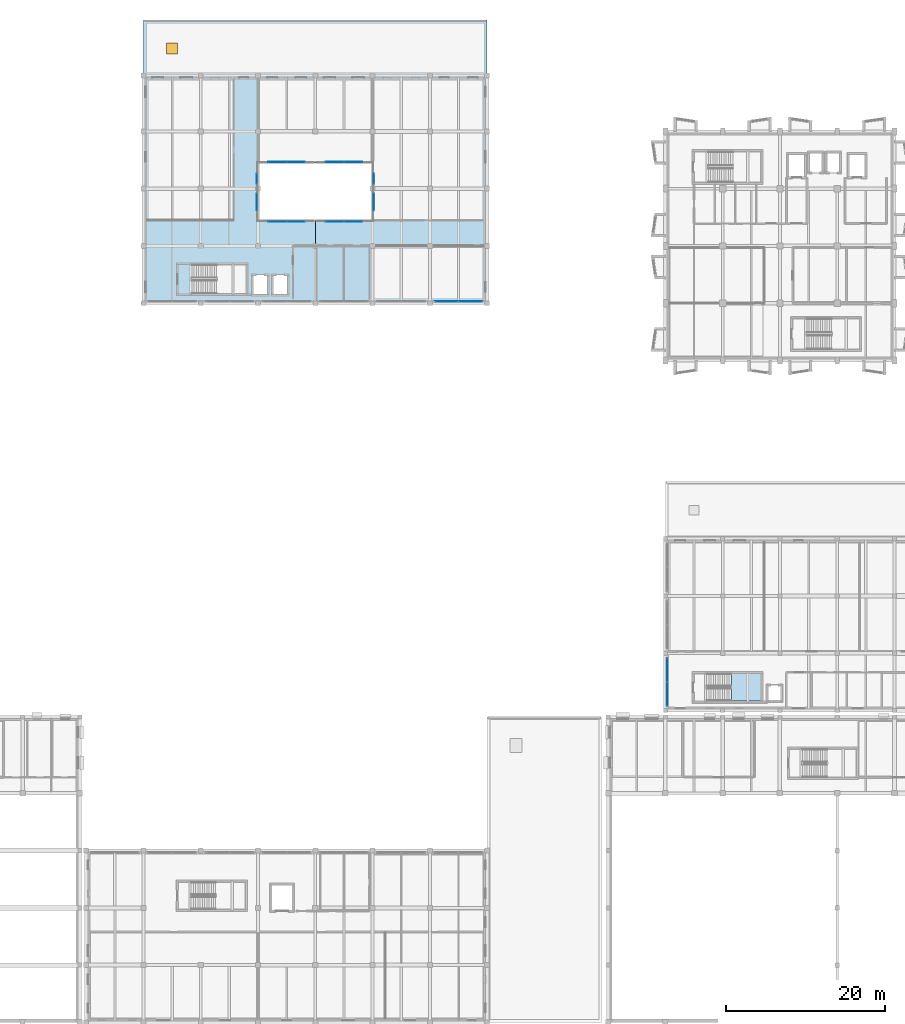
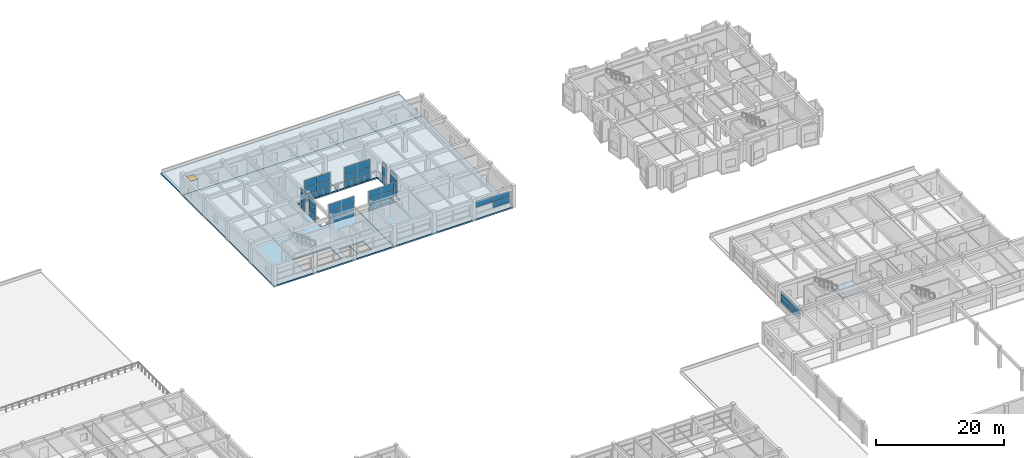
# One storey, part 42 of 67: 43 plates, 4 slabs, 1 window, 1 opening, 11 elements without a shape of their own.
"""IFC4 building model written with IfcOpenShell, lengths in metres."""

from ifc_helpers import new_model, si_unit, direction, frame, origin, origin_2d, place, context, subcontext, project, spatial, polyline, rectangle, outline, extrude, material, layer, layer_set, type_object, element, fill, aggregate, save


model = new_model("IFC4")

# Units and contexts
model_context = context("Model", 3, precision=1e-05, world=origin(), true_north=direction((0.0, 1.0)))
body_context = subcontext(model_context, "Body", "Model", "MODEL_VIEW")
ifc_project = project(units=[si_unit("LENGTHUNIT", "METRE"), si_unit("AREAUNIT", "SQUARE_METRE"), si_unit("VOLUMEUNIT", "CUBIC_METRE"), si_unit("PLANEANGLEUNIT", "RADIAN"), si_unit("MASSUNIT", "GRAM", prefix="KILO")], contexts=[model_context])

# Site, building, storey
site_placement = place(None, origin())
site = spatial("IfcSite", under=ifc_project, at=site_placement, CompositionType="ELEMENT")
building_placement = place(site_placement, origin())
building = spatial("IfcBuilding", under=site, at=building_placement, Name="Bramveld Media Centre", CompositionType="ELEMENT")
storey_placement = place(building_placement, frame((0.0, 0.0, 5.39990234375)))
storey = spatial("IfcBuildingStorey", under=building, at=storey_placement, Name="L01", CompositionType="ELEMENT", Elevation=5.39990234375)

# Curtain wall, plates
ifc_material_1 = material(Name="Thermally broken anodized bronze aluminium unitized curtain wall with solar-control triple glazing", Category="aluminium")
curtain_wall_type_1 = type_object("IfcCurtainWallType", Name="CW-FACV4-6100x2350", PredefinedType="NOTDEFINED", material=ifc_material_1)
curtain_wall_1_placement = place(storey_placement, origin())
curtain_wall_1 = element("IfcCurtainWall", 1, at=curtain_wall_1_placement, inside=storey, type_object=curtain_wall_type_1, Name="V4 L01 W curtain wall bay 1", PredefinedType="NOTDEFINED")
ifc_material_2 = material(Name="Solar-control triple insulating safety glass unit", Category="glass")
ifc_layer_1 = layer(ifc_material_2, 0.028076171875)
ifc_layer_set_1 = layer_set([ifc_layer_1], Name="Solar-control triple insulating safety glass unit")
plate_type_1 = type_object("IfcPlateType", Name="CW-PAN-EXT", PredefinedType="CURTAIN_PANEL", material=ifc_layer_set_1)
plate_1_placement = place(storey_placement, frame((131.429931640625, 41.2900390625, 0.91015625), z_axis=(0.0, 0.0, 1.0), x_axis=(0.0, 1.0, 0.0)))
plate_1 = element("IfcPlate", 2, at=plate_1_placement, type_object=plate_type_1, Name="CW-FA-6123 panel 1.1", PredefinedType="CURTAIN_PANEL", context=body_context, shape_type="SweptSolid", body=[
    extrude(rectangle(XDim=2.9599609375, YDim=0.028076171875, at=origin_2d()), origin(), (0.0, 0.0, 1.0), 1.0849609375),
])
plate_2_placement = place(storey_placement, frame((131.429931640625, 41.2900390625, 2.05517578125), z_axis=(0.0, 0.0, 1.0), x_axis=(0.0, 1.0, 0.0)))
plate_2 = element("IfcPlate", 3, at=plate_2_placement, type_object=plate_type_1, Name="CW-FA-6123 panel 1.2", PredefinedType="CURTAIN_PANEL", context=body_context, shape_type="SweptSolid", body=[
    extrude(rectangle(XDim=2.9599609375, YDim=0.028076171875, at=origin_2d()), origin(), (0.0, 0.0, 1.0), 1.0849609375),
])
plate_3_placement = place(storey_placement, frame((131.429931640625, 44.31005859375, 0.91015625), z_axis=(0.0, 0.0, 1.0), x_axis=(0.0, 1.0, 0.0)))
plate_3 = element("IfcPlate", 4, at=plate_3_placement, type_object=plate_type_1, Name="CW-FA-6123 panel 2.1", PredefinedType="CURTAIN_PANEL", context=body_context, shape_type="SweptSolid", body=[
    extrude(rectangle(XDim=2.9599609375, YDim=0.028076171875, at=origin_2d()), origin(), (0.0, 0.0, 1.0), 1.0849609375),
])
plate_4_placement = place(storey_placement, frame((131.429931640625, 44.31005859375, 2.05517578125), z_axis=(0.0, 0.0, 1.0), x_axis=(0.0, 1.0, 0.0)))
plate_4 = element("IfcPlate", 5, at=plate_4_placement, type_object=plate_type_1, Name="CW-FA-6123 panel 2.2", PredefinedType="CURTAIN_PANEL", context=body_context, shape_type="SweptSolid", body=[
    extrude(rectangle(XDim=2.9599609375, YDim=0.028076171875, at=origin_2d()), origin(), (0.0, 0.0, 1.0), 1.0849609375),
])
aggregate(curtain_wall_1, [plate_1, plate_2, plate_3, plate_4])

ifc_material_3 = material(Name="Thermally broken anodized bronze aluminium unitized curtain wall with solar-control triple glazing", Category="aluminium")
curtain_wall_type_2 = type_object("IfcCurtainWallType", Name="CW-FACV6-6100x2350", PredefinedType="NOTDEFINED", material=ifc_material_3)
curtain_wall_2_placement = place(storey_placement, origin())
curtain_wall_2 = element("IfcCurtainWall", 6, at=curtain_wall_2_placement, inside=storey, type_object=curtain_wall_type_2, Name="V6 L01 S curtain wall bay 6", PredefinedType="NOTDEFINED")
plate_5_placement = place(storey_placement, frame((103.68994140625, 90.6298828125, 2.05517578125), z_axis=(0.0, 0.0, 1.0), x_axis=(1.0, 0.0, 0.0)))
plate_5 = element("IfcPlate", 7, at=plate_5_placement, type_object=plate_type_1, Name="CW-FA-6123 panel 1.2", PredefinedType="CURTAIN_PANEL", context=body_context, shape_type="SweptSolid", body=[
    extrude(rectangle(XDim=2.9599609375, YDim=0.028076171875, at=origin_2d()), origin(), (0.0, 0.0, 1.0), 1.0849609375),
])
plate_6_placement = place(storey_placement, frame((106.7099609375, 90.6298828125, 0.91015625), z_axis=(0.0, 0.0, 1.0), x_axis=(1.0, 0.0, 0.0)))
plate_6 = element("IfcPlate", 8, at=plate_6_placement, type_object=plate_type_1, Name="CW-FA-6123 panel 2.1", PredefinedType="CURTAIN_PANEL", context=body_context, shape_type="SweptSolid", body=[
    extrude(rectangle(XDim=2.9599609375, YDim=0.028076171875, at=origin_2d()), origin(), (0.0, 0.0, 1.0), 1.0849609375),
])
plate_7_placement = place(storey_placement, frame((106.7099609375, 90.6298828125, 2.05517578125), z_axis=(0.0, 0.0, 1.0), x_axis=(1.0, 0.0, 0.0)))
plate_7 = element("IfcPlate", 9, at=plate_7_placement, type_object=plate_type_1, Name="CW-FA-6123 panel 2.2", PredefinedType="CURTAIN_PANEL", context=body_context, shape_type="SweptSolid", body=[
    extrude(rectangle(XDim=2.9599609375, YDim=0.028076171875, at=origin_2d()), origin(), (0.0, 0.0, 1.0), 1.0849609375),
])
aggregate(curtain_wall_2, [plate_5, plate_6, plate_7])

ifc_material_4 = material(Name="Thermally broken anodized bronze aluminium unitized curtain wall with solar-control triple glazing", Category="aluminium")
curtain_wall_type_3 = type_object("IfcCurtainWallType", Name="CW-ATR-4700x3880", PredefinedType="NOTDEFINED", material=ifc_material_4)
curtain_wall_3_placement = place(storey_placement, origin())
curtain_wall_3 = element("IfcCurtainWall", 10, at=curtain_wall_3_placement, inside=storey, type_object=curtain_wall_type_3, Name="V6 L01 atrium acoustic screen S1-1", PredefinedType="NOTDEFINED")
ifc_material_5 = material(Name="Laminated acoustic safety glass panel", Category="glass")
ifc_layer_2 = layer(ifc_material_5, 0.028076171875)
ifc_layer_set_2 = layer_set([ifc_layer_2], Name="Laminated acoustic safety glass panel")
plate_type_2 = type_object("IfcPlateType", Name="CW-PAN-INT", PredefinedType="CURTAIN_PANEL", material=ifc_layer_set_2)
plate_8_placement = place(storey_placement, frame((82.43994140625, 100.64990234375, 0.06005859375), z_axis=(0.0, 0.0, 1.0), x_axis=(1.0, 0.0, 0.0)))
plate_8 = element("IfcPlate", 11, at=plate_8_placement, type_object=plate_type_2, Name="CW-AT-4738 panel 1.1", PredefinedType="CURTAIN_PANEL", context=body_context, shape_type="SweptSolid", body=[
    extrude(rectangle(XDim=2.260009765625, YDim=0.028076171875, at=origin_2d()), origin(), (0.0, 0.0, 1.0), 1.06005859375),
])
plate_9_placement = place(storey_placement, frame((82.43994140625, 100.64990234375, 1.18017578125), z_axis=(0.0, 0.0, 1.0), x_axis=(1.0, 0.0, 0.0)))
plate_9 = element("IfcPlate", 12, at=plate_9_placement, type_object=plate_type_2, Name="CW-AT-4738 panel 1.2", PredefinedType="CURTAIN_PANEL", context=body_context, shape_type="SweptSolid", body=[
    extrude(rectangle(XDim=2.260009765625, YDim=0.028076171875, at=origin_2d()), origin(), (0.0, 0.0, 1.0), 1.196044921875),
])
plate_10_placement = place(storey_placement, frame((82.43994140625, 100.64990234375, 2.43603515625), z_axis=(0.0, 0.0, 1.0), x_axis=(1.0, 0.0, 0.0)))
plate_10 = element("IfcPlate", 13, at=plate_10_placement, type_object=plate_type_2, Name="CW-AT-4738 panel 1.3", PredefinedType="CURTAIN_PANEL", context=body_context, shape_type="SweptSolid", body=[
    extrude(rectangle(XDim=2.260009765625, YDim=0.028076171875, at=origin_2d()), origin(), (0.0, 0.0, 1.0), 1.384033203125),
])
plate_11_placement = place(storey_placement, frame((84.760009765625, 100.64990234375, 0.06005859375), z_axis=(0.0, 0.0, 1.0), x_axis=(1.0, 0.0, 0.0)))
plate_11 = element("IfcPlate", 14, at=plate_11_placement, type_object=plate_type_2, Name="CW-AT-4738 panel 2.1", PredefinedType="CURTAIN_PANEL", context=body_context, shape_type="SweptSolid", body=[
    extrude(rectangle(XDim=2.260009765625, YDim=0.028076171875, at=origin_2d()), origin(), (0.0, 0.0, 1.0), 1.06005859375),
])
plate_12_placement = place(storey_placement, frame((84.760009765625, 100.64990234375, 1.18017578125), z_axis=(0.0, 0.0, 1.0), x_axis=(1.0, 0.0, 0.0)))
plate_12 = element("IfcPlate", 15, at=plate_12_placement, type_object=plate_type_2, Name="CW-AT-4738 panel 2.2", PredefinedType="CURTAIN_PANEL", context=body_context, shape_type="SweptSolid", body=[
    extrude(rectangle(XDim=2.260009765625, YDim=0.028076171875, at=origin_2d()), origin(), (0.0, 0.0, 1.0), 1.196044921875),
])
plate_13_placement = place(storey_placement, frame((84.760009765625, 100.64990234375, 2.43603515625), z_axis=(0.0, 0.0, 1.0), x_axis=(1.0, 0.0, 0.0)))
plate_13 = element("IfcPlate", 16, at=plate_13_placement, type_object=plate_type_2, Name="CW-AT-4738 panel 2.3", PredefinedType="CURTAIN_PANEL", context=body_context, shape_type="SweptSolid", body=[
    extrude(rectangle(XDim=2.260009765625, YDim=0.028076171875, at=origin_2d()), origin(), (0.0, 0.0, 1.0), 1.384033203125),
])
aggregate(curtain_wall_3, [plate_8, plate_9, plate_10, plate_11, plate_12, plate_13])

curtain_wall_4_placement = place(storey_placement, origin())
curtain_wall_4 = element("IfcCurtainWall", 17, at=curtain_wall_4_placement, inside=storey, type_object=curtain_wall_type_3, Name="V6 L01 atrium acoustic screen S2-1", PredefinedType="NOTDEFINED")
plate_14_placement = place(storey_placement, frame((89.639892578125, 100.64990234375, 0.06005859375), z_axis=(0.0, 0.0, 1.0), x_axis=(1.0, 0.0, 0.0)))
plate_14 = element("IfcPlate", 18, at=plate_14_placement, type_object=plate_type_2, Name="CW-AT-4738 panel 1.1", PredefinedType="CURTAIN_PANEL", context=body_context, shape_type="SweptSolid", body=[
    extrude(rectangle(XDim=2.260009765625, YDim=0.028076171875, at=origin_2d()), origin(), (0.0, 0.0, 1.0), 1.06005859375),
])
plate_15_placement = place(storey_placement, frame((89.639892578125, 100.64990234375, 1.18017578125), z_axis=(0.0, 0.0, 1.0), x_axis=(1.0, 0.0, 0.0)))
plate_15 = element("IfcPlate", 19, at=plate_15_placement, type_object=plate_type_2, Name="CW-AT-4738 panel 1.2", PredefinedType="CURTAIN_PANEL", context=body_context, shape_type="SweptSolid", body=[
    extrude(rectangle(XDim=2.260009765625, YDim=0.028076171875, at=origin_2d()), origin(), (0.0, 0.0, 1.0), 1.196044921875),
])
plate_16_placement = place(storey_placement, frame((89.639892578125, 100.64990234375, 2.43603515625), z_axis=(0.0, 0.0, 1.0), x_axis=(1.0, 0.0, 0.0)))
plate_16 = element("IfcPlate", 20, at=plate_16_placement, type_object=plate_type_2, Name="CW-AT-4738 panel 1.3", PredefinedType="CURTAIN_PANEL", context=body_context, shape_type="SweptSolid", body=[
    extrude(rectangle(XDim=2.260009765625, YDim=0.028076171875, at=origin_2d()), origin(), (0.0, 0.0, 1.0), 1.384033203125),
])
plate_17_placement = place(storey_placement, frame((91.9599609375, 100.64990234375, 0.06005859375), z_axis=(0.0, 0.0, 1.0), x_axis=(1.0, 0.0, 0.0)))
plate_17 = element("IfcPlate", 21, at=plate_17_placement, type_object=plate_type_2, Name="CW-AT-4738 panel 2.1", PredefinedType="CURTAIN_PANEL", context=body_context, shape_type="SweptSolid", body=[
    extrude(rectangle(XDim=2.260009765625, YDim=0.028076171875, at=origin_2d()), origin(), (0.0, 0.0, 1.0), 1.06005859375),
])
plate_18_placement = place(storey_placement, frame((91.9599609375, 100.64990234375, 1.18017578125), z_axis=(0.0, 0.0, 1.0), x_axis=(1.0, 0.0, 0.0)))
plate_18 = element("IfcPlate", 22, at=plate_18_placement, type_object=plate_type_2, Name="CW-AT-4738 panel 2.2", PredefinedType="CURTAIN_PANEL", context=body_context, shape_type="SweptSolid", body=[
    extrude(rectangle(XDim=2.260009765625, YDim=0.028076171875, at=origin_2d()), origin(), (0.0, 0.0, 1.0), 1.196044921875),
])
plate_19_placement = place(storey_placement, frame((91.9599609375, 100.64990234375, 2.43603515625), z_axis=(0.0, 0.0, 1.0), x_axis=(1.0, 0.0, 0.0)))
plate_19 = element("IfcPlate", 23, at=plate_19_placement, type_object=plate_type_2, Name="CW-AT-4738 panel 2.3", PredefinedType="CURTAIN_PANEL", context=body_context, shape_type="SweptSolid", body=[
    extrude(rectangle(XDim=2.260009765625, YDim=0.028076171875, at=origin_2d()), origin(), (0.0, 0.0, 1.0), 1.384033203125),
])
aggregate(curtain_wall_4, [plate_14, plate_15, plate_16, plate_17, plate_18, plate_19])

curtain_wall_5_placement = place(storey_placement, origin())
curtain_wall_5 = element("IfcCurtainWall", 24, at=curtain_wall_5_placement, inside=storey, type_object=curtain_wall_type_3, Name="V6 L01 atrium acoustic screen N1-1", PredefinedType="NOTDEFINED")
plate_20_placement = place(storey_placement, frame((82.43994140625, 108.14990234375, 0.06005859375), z_axis=(0.0, 0.0, 1.0), x_axis=(1.0, 0.0, 0.0)))
plate_20 = element("IfcPlate", 25, at=plate_20_placement, type_object=plate_type_2, Name="CW-AT-4738 panel 1.1", PredefinedType="CURTAIN_PANEL", context=body_context, shape_type="SweptSolid", body=[
    extrude(rectangle(XDim=2.260009765625, YDim=0.028076171875, at=origin_2d()), origin(), (0.0, 0.0, 1.0), 1.06005859375),
])
plate_21_placement = place(storey_placement, frame((82.43994140625, 108.14990234375, 1.18017578125), z_axis=(0.0, 0.0, 1.0), x_axis=(1.0, 0.0, 0.0)))
plate_21 = element("IfcPlate", 26, at=plate_21_placement, type_object=plate_type_2, Name="CW-AT-4738 panel 1.2", PredefinedType="CURTAIN_PANEL", context=body_context, shape_type="SweptSolid", body=[
    extrude(rectangle(XDim=2.260009765625, YDim=0.028076171875, at=origin_2d()), origin(), (0.0, 0.0, 1.0), 1.196044921875),
])
plate_22_placement = place(storey_placement, frame((82.43994140625, 108.14990234375, 2.43603515625), z_axis=(0.0, 0.0, 1.0), x_axis=(1.0, 0.0, 0.0)))
plate_22 = element("IfcPlate", 27, at=plate_22_placement, type_object=plate_type_2, Name="CW-AT-4738 panel 1.3", PredefinedType="CURTAIN_PANEL", context=body_context, shape_type="SweptSolid", body=[
    extrude(rectangle(XDim=2.260009765625, YDim=0.028076171875, at=origin_2d()), origin(), (0.0, 0.0, 1.0), 1.384033203125),
])
plate_23_placement = place(storey_placement, frame((84.760009765625, 108.14990234375, 0.06005859375), z_axis=(0.0, 0.0, 1.0), x_axis=(1.0, 0.0, 0.0)))
plate_23 = element("IfcPlate", 28, at=plate_23_placement, type_object=plate_type_2, Name="CW-AT-4738 panel 2.1", PredefinedType="CURTAIN_PANEL", context=body_context, shape_type="SweptSolid", body=[
    extrude(rectangle(XDim=2.260009765625, YDim=0.028076171875, at=origin_2d()), origin(), (0.0, 0.0, 1.0), 1.06005859375),
])
plate_24_placement = place(storey_placement, frame((84.760009765625, 108.14990234375, 1.18017578125), z_axis=(0.0, 0.0, 1.0), x_axis=(1.0, 0.0, 0.0)))
plate_24 = element("IfcPlate", 29, at=plate_24_placement, type_object=plate_type_2, Name="CW-AT-4738 panel 2.2", PredefinedType="CURTAIN_PANEL", context=body_context, shape_type="SweptSolid", body=[
    extrude(rectangle(XDim=2.260009765625, YDim=0.028076171875, at=origin_2d()), origin(), (0.0, 0.0, 1.0), 1.196044921875),
])
plate_25_placement = place(storey_placement, frame((84.760009765625, 108.14990234375, 2.43603515625), z_axis=(0.0, 0.0, 1.0), x_axis=(1.0, 0.0, 0.0)))
plate_25 = element("IfcPlate", 30, at=plate_25_placement, type_object=plate_type_2, Name="CW-AT-4738 panel 2.3", PredefinedType="CURTAIN_PANEL", context=body_context, shape_type="SweptSolid", body=[
    extrude(rectangle(XDim=2.260009765625, YDim=0.028076171875, at=origin_2d()), origin(), (0.0, 0.0, 1.0), 1.384033203125),
])
aggregate(curtain_wall_5, [plate_20, plate_21, plate_22, plate_23, plate_24, plate_25])

curtain_wall_6_placement = place(storey_placement, origin())
curtain_wall_6 = element("IfcCurtainWall", 31, at=curtain_wall_6_placement, inside=storey, type_object=curtain_wall_type_3, Name="V6 L01 atrium acoustic screen N2-1", PredefinedType="NOTDEFINED")
plate_26_placement = place(storey_placement, frame((89.639892578125, 108.14990234375, 0.06005859375), z_axis=(0.0, 0.0, 1.0), x_axis=(1.0, 0.0, 0.0)))
plate_26 = element("IfcPlate", 32, at=plate_26_placement, type_object=plate_type_2, Name="CW-AT-4738 panel 1.1", PredefinedType="CURTAIN_PANEL", context=body_context, shape_type="SweptSolid", body=[
    extrude(rectangle(XDim=2.260009765625, YDim=0.028076171875, at=origin_2d()), origin(), (0.0, 0.0, 1.0), 1.06005859375),
])
plate_27_placement = place(storey_placement, frame((89.639892578125, 108.14990234375, 1.18017578125), z_axis=(0.0, 0.0, 1.0), x_axis=(1.0, 0.0, 0.0)))
plate_27 = element("IfcPlate", 33, at=plate_27_placement, type_object=plate_type_2, Name="CW-AT-4738 panel 1.2", PredefinedType="CURTAIN_PANEL", context=body_context, shape_type="SweptSolid", body=[
    extrude(rectangle(XDim=2.260009765625, YDim=0.028076171875, at=origin_2d()), origin(), (0.0, 0.0, 1.0), 1.196044921875),
])
plate_28_placement = place(storey_placement, frame((89.639892578125, 108.14990234375, 2.43603515625), z_axis=(0.0, 0.0, 1.0), x_axis=(1.0, 0.0, 0.0)))
plate_28 = element("IfcPlate", 34, at=plate_28_placement, type_object=plate_type_2, Name="CW-AT-4738 panel 1.3", PredefinedType="CURTAIN_PANEL", context=body_context, shape_type="SweptSolid", body=[
    extrude(rectangle(XDim=2.260009765625, YDim=0.028076171875, at=origin_2d()), origin(), (0.0, 0.0, 1.0), 1.384033203125),
])
plate_29_placement = place(storey_placement, frame((91.9599609375, 108.14990234375, 0.06005859375), z_axis=(0.0, 0.0, 1.0), x_axis=(1.0, 0.0, 0.0)))
plate_29 = element("IfcPlate", 35, at=plate_29_placement, type_object=plate_type_2, Name="CW-AT-4738 panel 2.1", PredefinedType="CURTAIN_PANEL", context=body_context, shape_type="SweptSolid", body=[
    extrude(rectangle(XDim=2.260009765625, YDim=0.028076171875, at=origin_2d()), origin(), (0.0, 0.0, 1.0), 1.06005859375),
])
plate_30_placement = place(storey_placement, frame((91.9599609375, 108.14990234375, 1.18017578125), z_axis=(0.0, 0.0, 1.0), x_axis=(1.0, 0.0, 0.0)))
plate_30 = element("IfcPlate", 36, at=plate_30_placement, type_object=plate_type_2, Name="CW-AT-4738 panel 2.2", PredefinedType="CURTAIN_PANEL", context=body_context, shape_type="SweptSolid", body=[
    extrude(rectangle(XDim=2.260009765625, YDim=0.028076171875, at=origin_2d()), origin(), (0.0, 0.0, 1.0), 1.196044921875),
])
plate_31_placement = place(storey_placement, frame((91.9599609375, 108.14990234375, 2.43603515625), z_axis=(0.0, 0.0, 1.0), x_axis=(1.0, 0.0, 0.0)))
plate_31 = element("IfcPlate", 37, at=plate_31_placement, type_object=plate_type_2, Name="CW-AT-4738 panel 2.3", PredefinedType="CURTAIN_PANEL", context=body_context, shape_type="SweptSolid", body=[
    extrude(rectangle(XDim=2.260009765625, YDim=0.028076171875, at=origin_2d()), origin(), (0.0, 0.0, 1.0), 1.384033203125),
])
aggregate(curtain_wall_6, [plate_26, plate_27, plate_28, plate_29, plate_30, plate_31])

ifc_material_6 = material(Name="Thermally broken anodized bronze aluminium unitized curtain wall with solar-control triple glazing", Category="aluminium")
curtain_wall_type_4 = type_object("IfcCurtainWallType", Name="CW-ATR-2200x3880", PredefinedType="NOTDEFINED", material=ifc_material_6)
curtain_wall_7_placement = place(storey_placement, origin())
curtain_wall_7 = element("IfcCurtainWall", 38, at=curtain_wall_7_placement, inside=storey, type_object=curtain_wall_type_4, Name="V6 L01 atrium acoustic screen W-1", PredefinedType="NOTDEFINED")
plate_32_placement = place(storey_placement, frame((79.85009765625, 103.14990234375, 0.06005859375), z_axis=(0.0, 0.0, 1.0), x_axis=(0.0, 1.0, 0.0)))
plate_32 = element("IfcPlate", 39, at=plate_32_placement, type_object=plate_type_2, Name="CW-AT-2238 panel 1.1", PredefinedType="CURTAIN_PANEL", context=body_context, shape_type="SweptSolid", body=[
    extrude(rectangle(XDim=2.080078125, YDim=0.028076171875, at=origin_2d()), origin(), (0.0, 0.0, 1.0), 1.06005859375),
])
plate_33_placement = place(storey_placement, frame((79.85009765625, 103.14990234375, 1.18017578125), z_axis=(0.0, 0.0, 1.0), x_axis=(0.0, 1.0, 0.0)))
plate_33 = element("IfcPlate", 40, at=plate_33_placement, type_object=plate_type_2, Name="CW-AT-2238 panel 1.2", PredefinedType="CURTAIN_PANEL", context=body_context, shape_type="SweptSolid", body=[
    extrude(rectangle(XDim=2.080078125, YDim=0.028076171875, at=origin_2d()), origin(), (0.0, 0.0, 1.0), 1.196044921875),
])
plate_34_placement = place(storey_placement, frame((79.85009765625, 103.14990234375, 2.43603515625), z_axis=(0.0, 0.0, 1.0), x_axis=(0.0, 1.0, 0.0)))
plate_34 = element("IfcPlate", 41, at=plate_34_placement, type_object=plate_type_2, Name="CW-AT-2238 panel 1.3", PredefinedType="CURTAIN_PANEL", context=body_context, shape_type="SweptSolid", body=[
    extrude(rectangle(XDim=2.080078125, YDim=0.028076171875, at=origin_2d()), origin(), (0.0, 0.0, 1.0), 1.384033203125),
])
aggregate(curtain_wall_7, [plate_32, plate_33, plate_34])

ifc_material_7 = material(Name="Thermally broken anodized bronze aluminium unitized curtain wall with solar-control triple glazing", Category="aluminium")
curtain_wall_type_5 = type_object("IfcCurtainWallType", Name="CW-ATR-1400x3880", PredefinedType="NOTDEFINED", material=ifc_material_7)
curtain_wall_8_placement = place(storey_placement, origin())
curtain_wall_8 = element("IfcCurtainWall", 42, at=curtain_wall_8_placement, inside=storey, type_object=curtain_wall_type_5, Name="V6 L01 atrium acoustic screen W-2", PredefinedType="NOTDEFINED")
plate_35_placement = place(storey_placement, frame((79.85009765625, 106.050048828125, 0.06005859375), z_axis=(0.0, 0.0, 1.0), x_axis=(0.0, 1.0, 0.0)))
plate_35 = element("IfcPlate", 43, at=plate_35_placement, type_object=plate_type_2, Name="CW-AT-1438 panel 1.1", PredefinedType="CURTAIN_PANEL", context=body_context, shape_type="SweptSolid", body=[
    extrude(rectangle(XDim=1.280029296875, YDim=0.028076171875, at=origin_2d()), origin(), (0.0, 0.0, 1.0), 1.06005859375),
])
plate_36_placement = place(storey_placement, frame((79.85009765625, 106.050048828125, 1.18017578125), z_axis=(0.0, 0.0, 1.0), x_axis=(0.0, 1.0, 0.0)))
plate_36 = element("IfcPlate", 44, at=plate_36_placement, type_object=plate_type_2, Name="CW-AT-1438 panel 1.2", PredefinedType="CURTAIN_PANEL", context=body_context, shape_type="SweptSolid", body=[
    extrude(rectangle(XDim=1.280029296875, YDim=0.028076171875, at=origin_2d()), origin(), (0.0, 0.0, 1.0), 1.196044921875),
])
plate_37_placement = place(storey_placement, frame((79.85009765625, 106.050048828125, 2.43603515625), z_axis=(0.0, 0.0, 1.0), x_axis=(0.0, 1.0, 0.0)))
plate_37 = element("IfcPlate", 45, at=plate_37_placement, type_object=plate_type_2, Name="CW-AT-1438 panel 1.3", PredefinedType="CURTAIN_PANEL", context=body_context, shape_type="SweptSolid", body=[
    extrude(rectangle(XDim=1.280029296875, YDim=0.028076171875, at=origin_2d()), origin(), (0.0, 0.0, 1.0), 1.384033203125),
])
aggregate(curtain_wall_8, [plate_35, plate_36, plate_37])

curtain_wall_9_placement = place(storey_placement, origin())
curtain_wall_9 = element("IfcCurtainWall", 46, at=curtain_wall_9_placement, inside=storey, type_object=curtain_wall_type_4, Name="V6 L01 atrium acoustic screen E-1", PredefinedType="NOTDEFINED")
plate_38_placement = place(storey_placement, frame((94.550048828125, 103.14990234375, 0.06005859375), z_axis=(0.0, 0.0, 1.0), x_axis=(0.0, 1.0, 0.0)))
plate_38 = element("IfcPlate", 47, at=plate_38_placement, type_object=plate_type_2, Name="CW-AT-2238 panel 1.1", PredefinedType="CURTAIN_PANEL", context=body_context, shape_type="SweptSolid", body=[
    extrude(rectangle(XDim=2.080078125, YDim=0.028076171875, at=origin_2d()), origin(), (0.0, 0.0, 1.0), 1.06005859375),
])
plate_39_placement = place(storey_placement, frame((94.550048828125, 103.14990234375, 1.18017578125), z_axis=(0.0, 0.0, 1.0), x_axis=(0.0, 1.0, 0.0)))
plate_39 = element("IfcPlate", 48, at=plate_39_placement, type_object=plate_type_2, Name="CW-AT-2238 panel 1.2", PredefinedType="CURTAIN_PANEL", context=body_context, shape_type="SweptSolid", body=[
    extrude(rectangle(XDim=2.080078125, YDim=0.028076171875, at=origin_2d()), origin(), (0.0, 0.0, 1.0), 1.196044921875),
])
plate_40_placement = place(storey_placement, frame((94.550048828125, 103.14990234375, 2.43603515625), z_axis=(0.0, 0.0, 1.0), x_axis=(0.0, 1.0, 0.0)))
plate_40 = element("IfcPlate", 49, at=plate_40_placement, type_object=plate_type_2, Name="CW-AT-2238 panel 1.3", PredefinedType="CURTAIN_PANEL", context=body_context, shape_type="SweptSolid", body=[
    extrude(rectangle(XDim=2.080078125, YDim=0.028076171875, at=origin_2d()), origin(), (0.0, 0.0, 1.0), 1.384033203125),
])
aggregate(curtain_wall_9, [plate_38, plate_39, plate_40])

curtain_wall_10_placement = place(storey_placement, origin())
curtain_wall_10 = element("IfcCurtainWall", 50, at=curtain_wall_10_placement, inside=storey, type_object=curtain_wall_type_5, Name="V6 L01 atrium acoustic screen E-2", PredefinedType="NOTDEFINED")
plate_41_placement = place(storey_placement, frame((94.550048828125, 106.050048828125, 0.06005859375), z_axis=(0.0, 0.0, 1.0), x_axis=(0.0, 1.0, 0.0)))
plate_41 = element("IfcPlate", 51, at=plate_41_placement, type_object=plate_type_2, Name="CW-AT-1438 panel 1.1", PredefinedType="CURTAIN_PANEL", context=body_context, shape_type="SweptSolid", body=[
    extrude(rectangle(XDim=1.280029296875, YDim=0.028076171875, at=origin_2d()), origin(), (0.0, 0.0, 1.0), 1.06005859375),
])
plate_42_placement = place(storey_placement, frame((94.550048828125, 106.050048828125, 1.18017578125), z_axis=(0.0, 0.0, 1.0), x_axis=(0.0, 1.0, 0.0)))
plate_42 = element("IfcPlate", 52, at=plate_42_placement, type_object=plate_type_2, Name="CW-AT-1438 panel 1.2", PredefinedType="CURTAIN_PANEL", context=body_context, shape_type="SweptSolid", body=[
    extrude(rectangle(XDim=1.280029296875, YDim=0.028076171875, at=origin_2d()), origin(), (0.0, 0.0, 1.0), 1.196044921875),
])
plate_43_placement = place(storey_placement, frame((94.550048828125, 106.050048828125, 2.43603515625), z_axis=(0.0, 0.0, 1.0), x_axis=(0.0, 1.0, 0.0)))
plate_43 = element("IfcPlate", 53, at=plate_43_placement, type_object=plate_type_2, Name="CW-AT-1438 panel 1.3", PredefinedType="CURTAIN_PANEL", context=body_context, shape_type="SweptSolid", body=[
    extrude(rectangle(XDim=1.280029296875, YDim=0.028076171875, at=origin_2d()), origin(), (0.0, 0.0, 1.0), 1.384033203125),
])
aggregate(curtain_wall_10, [plate_41, plate_42, plate_43])

# Slab, opening, window
ifc_material_8 = material(Name="Concrete C40/50", Category="concrete")
ifc_layer_3 = layer(ifc_material_8, 0.235107421875)
ifc_layer_set_3 = layer_set([ifc_layer_3], Name="Concrete C40/50")
slab_type_1 = type_object("IfcSlabType", Name="ROOF-SLAB-235-11", PredefinedType="ROOF", material=ifc_layer_set_3)
slab_1_placement = place(storey_placement, frame((0.0, 0.0, -0.23486328125)))
slab_1 = element("IfcSlab", 54, at=slab_1_placement, inside=storey, type_object=slab_type_1, Name="V6 L01 flat roof slab", PredefinedType="ROOF", context=body_context, shape_type="SweptSolid", body=[
    extrude(outline(polyline([(65.60009765625, 119.0), (108.800048828125, 119.0), (108.800048828125, 126.0), (65.60009765625, 126.0), (65.60009765625, 119.0)])), origin(), (0.0, 0.0, 1.0), 0.23486328125),
])
opening_placement = place(slab_1_placement, frame((69.199951171875, 122.39990234375, 0.0)))
opening = element("IfcOpeningElement", 55, at=opening_placement, cuts=slab_1, Name="Opening SK-02", PredefinedType="OPENING", context=body_context, shape_type="SweptSolid", body=[
    extrude(rectangle(XDim=1.39990234375, YDim=1.39990234375, at=origin_2d()), origin(), (0.0, 0.0, 1.0), 0.23486328125),
])
ifc_material_9 = material(Name="Insulated aluminium smoke-ventilation & maintenance roof skylight hatch", Category="aluminium")
window_type = type_object("IfcWindowType", Name="SKY-HATCH-02", PartitioningType="SINGLE_PANEL", PredefinedType="SKYLIGHT", material=ifc_material_9)
window_placement = place(opening_placement, frame((0.0, 0.0, 0.184814453125)))
window = element("IfcWindow", 56, at=window_placement, inside=storey, type_object=window_type, Name="Roof maintenance & smoke-vent skylight hatch 10", OverallHeight=1.39990234375, OverallWidth=1.39990234375, PartitioningType="SINGLE_PANEL", PredefinedType="SKYLIGHT", context=body_context, shape_type="SweptSolid", body=[
    extrude(rectangle(XDim=1.39990234375, YDim=1.39990234375, at=origin_2d()), origin(), (0.0, 0.0, 1.0), 0.050048828125),
])
fill(opening, window)

# Slabs
ifc_material_10 = material(Name="Concrete C40/50", Category="concrete")
ifc_layer_4 = layer(ifc_material_10, 0.280029296875)
ifc_layer_set_4 = layer_set([ifc_layer_4], Name="Concrete C40/50")
slab_type_2 = type_object("IfcSlabType", Name="SLAB-FLOOR-INT-280", PredefinedType="FLOOR", material=ifc_layer_set_4)
slab_2_placement = place(storey_placement, frame((0.0, 0.0, -0.27978515625)))
element("IfcSlab", 57, at=slab_2_placement, inside=storey, type_object=slab_type_2, Name="V6 L01 structural slab 1", PredefinedType="FLOOR", context=body_context, shape_type="SweptSolid", body=[
    extrude(outline(polyline([(65.60009765625, 119.0), (87.199951171875, 119.0), (87.199951171875, 108.0), (80.0, 108.0), (80.0, 100.800048828125), (87.199951171875, 100.800048828125), (87.199951171875, 90.39990234375), (65.60009765625, 90.39990234375), (65.60009765625, 119.0)]), holes=[polyline([(79.300048828125, 91.39990234375), (81.300048828125, 91.39990234375), (81.300048828125, 94.0), (79.300048828125, 94.0), (79.300048828125, 91.39990234375)]), polyline([(81.800048828125, 91.39990234375), (83.800048828125, 91.39990234375), (83.800048828125, 94.0), (81.800048828125, 94.0), (81.800048828125, 91.39990234375)]), polyline([(71.699951171875, 95.25), (71.699951171875, 91.60009765625), (78.5, 91.60009765625), (78.5, 95.25), (71.699951171875, 95.25)])]), origin(), (0.0, 0.0, 1.0), 0.27978515625),
])
slab_3_placement = place(storey_placement, frame((0.0, 0.0, -0.27978515625)))
element("IfcSlab", 58, at=slab_3_placement, inside=storey, type_object=slab_type_2, Name="V6 L01 structural slab 2", PredefinedType="FLOOR", context=body_context, shape_type="SweptSolid", body=[
    extrude(outline(polyline([(108.800048828125, 90.39990234375), (87.199951171875, 90.39990234375), (87.199951171875, 100.800048828125), (94.39990234375, 100.800048828125), (94.39990234375, 108.0), (87.199951171875, 108.0), (87.199951171875, 119.0), (108.800048828125, 119.0), (108.800048828125, 90.39990234375)])), origin(), (0.0, 0.0, 1.0), 0.27978515625),
])

# Stair, slab
ifc_material_11 = material(Name="Concrete C40/50", Category="concrete")
stair_type = type_object("IfcStairType", Name="STAIR-ST-08-24R-1600", PredefinedType="HALF_TURN_STAIR", material=ifc_material_11)
stair_placement = place(storey_placement, origin())
stair = element("IfcStair", 59, at=stair_placement, inside=storey, type_object=stair_type, Name="L01 Post-Production & Education Wing Stair", PredefinedType="HALF_TURN_STAIR")
ifc_material_12 = material(Name="Concrete C40/50", Category="concrete")
ifc_layer_5 = layer(ifc_material_12, 0.199951171875)
ifc_layer_set_5 = layer_set([ifc_layer_5], Name="Concrete C40/50")
slab_type_3 = type_object("IfcSlabType", Name="SLAB-STAIR-LAND-200", PredefinedType="LANDING", material=ifc_layer_set_5)
slab_4_placement = place(storey_placement, frame((0.0, 0.0, 1.900146484375)))
slab_4 = element("IfcSlab", 60, at=slab_4_placement, type_object=slab_type_3, Name="ST-08 landing 1", PredefinedType="LANDING", context=body_context, shape_type="SweptSolid", body=[
    extrude(outline(polyline([(139.47998046875, 40.39990234375), (143.199951171875, 40.39990234375), (143.199951171875, 43.85009765625), (139.47998046875, 43.85009765625), (139.47998046875, 40.39990234375)])), origin(), (0.0, 0.0, 1.0), 0.199951171875),
])
aggregate(stair, [slab_4])

save(model, "model.ifc")
